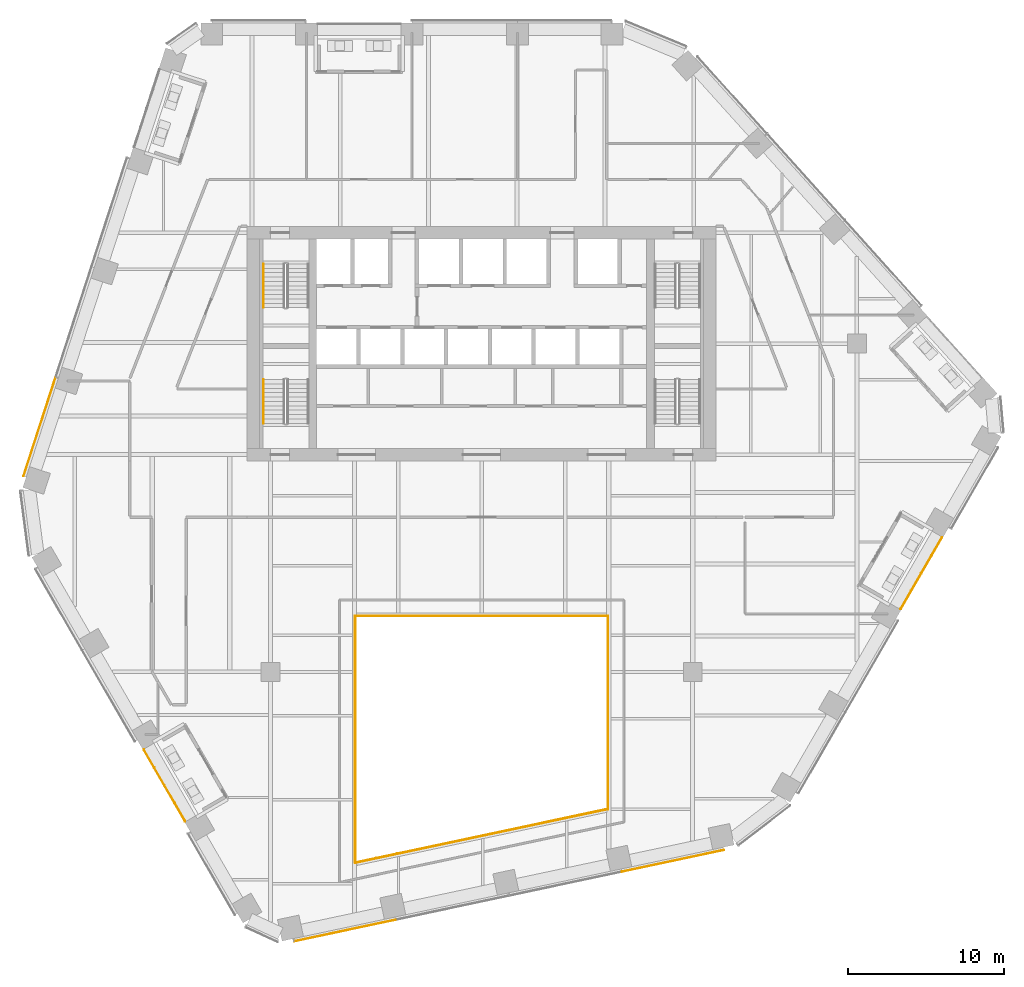
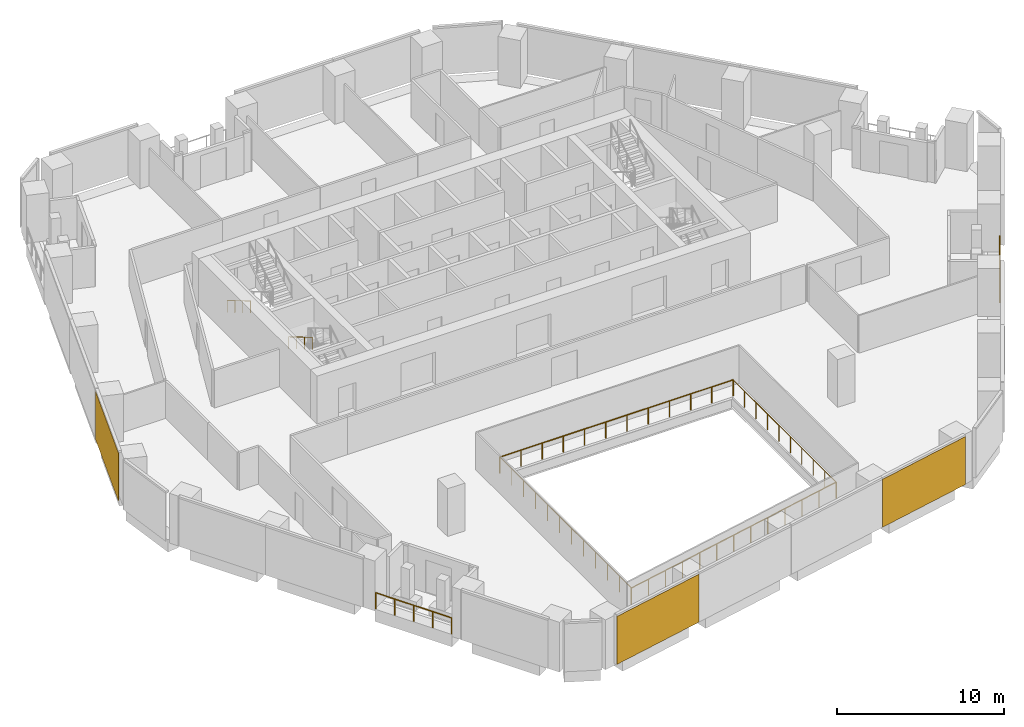
# One storey, part 23 of 26: 8 railings, 3 coverings, 2 elements without a shape of their own.
"""IFC4 building model written with IfcOpenShell, lengths in metres."""

from ifc_helpers import new_model, si_unit, direction, frame, origin, origin_2d, place, context, subcontext, project, spatial, rectangle, circle, extrude, material, layer, layer_set, type_object, element, aggregate, save


model = new_model("IFC4")

# Units and contexts
model_context = context("Model", 3, precision=1e-05, world=origin(), true_north=direction((0.0, 1.0)))
body_context = subcontext(model_context, "Body", "Model", "MODEL_VIEW")
ifc_project = project(units=[si_unit("LENGTHUNIT", "METRE"), si_unit("AREAUNIT", "SQUARE_METRE"), si_unit("VOLUMEUNIT", "CUBIC_METRE"), si_unit("PLANEANGLEUNIT", "RADIAN"), si_unit("MASSUNIT", "GRAM", prefix="KILO")], contexts=[model_context])

# Site, building, storey
site_placement = place(None, origin())
site = spatial("IfcSite", under=ifc_project, at=site_placement, CompositionType="ELEMENT")
building_placement = place(site_placement, origin())
building = spatial("IfcBuilding", under=site, at=building_placement, Name="Isthmus Gate Tower", CompositionType="ELEMENT")
storey_placement = place(building_placement, frame((0.0, 0.0, 129.800048828125)))
storey = spatial("IfcBuildingStorey", under=building, at=storey_placement, Name="L31", CompositionType="ELEMENT", Elevation=129.800048828125)

# Railings
ifc_material_1 = material(Name="Laminated toughened glass balustrade with steel rail", Category="steel")
railing_type_1 = type_object("IfcRailingType", Name="ATRIUM GUARD GLASS BALUSTRADE 1200", PredefinedType="GUARDRAIL", material=ifc_material_1)
railing_1_placement = place(storey_placement, frame((-8.080078125, -25.7099609375, 0.0)))
element("IfcRailing", 1, at=railing_1_placement, inside=storey, type_object=railing_type_1, Name="L31 atrium guard", PredefinedType="GUARDRAIL", context=body_context, shape_type="SweptSolid", body=[
    extrude(circle(Radius=0.02490234375, at=origin_2d()), frame((0.0, 0.0, 1.1748046875), z_axis=(0.0, 1.0, 0.0), x_axis=(-1.0, 0.0, 0.0)), (0.0, 0.0, 1.0), 15.7900390625),
    extrude(circle(Radius=0.02490234375, at=origin_2d()), origin(), (0.0, 0.0, 1.0), 1.14990234375),
    extrude(circle(Radius=0.02490234375, at=origin_2d()), frame((0.0, 1.435546875, 0.0)), (0.0, 0.0, 1.0), 1.14990234375),
    extrude(circle(Radius=0.02490234375, at=origin_2d()), frame((0.0, 2.870849609375, 0.0)), (0.0, 0.0, 1.0), 1.14990234375),
    extrude(circle(Radius=0.02490234375, at=origin_2d()), frame((0.0, 4.306396484375, 0.0)), (0.0, 0.0, 1.0), 1.14990234375),
    extrude(circle(Radius=0.02490234375, at=origin_2d()), frame((0.0, 5.741943359375, 0.0)), (0.0, 0.0, 1.0), 1.14990234375),
    extrude(circle(Radius=0.02490234375, at=origin_2d()), frame((0.0, 7.17724609375, 0.0)), (0.0, 0.0, 1.0), 1.14990234375),
    extrude(circle(Radius=0.02490234375, at=origin_2d()), frame((0.0, 8.61279296875, 0.0)), (0.0, 0.0, 1.0), 1.14990234375),
    extrude(circle(Radius=0.02490234375, at=origin_2d()), frame((0.0, 10.048095703125, 0.0)), (0.0, 0.0, 1.0), 1.14990234375),
    extrude(circle(Radius=0.02490234375, at=origin_2d()), frame((0.0, 11.483642578125, 0.0)), (0.0, 0.0, 1.0), 1.14990234375),
    extrude(circle(Radius=0.02490234375, at=origin_2d()), frame((0.0, 12.919189453125, 0.0)), (0.0, 0.0, 1.0), 1.14990234375),
    extrude(circle(Radius=0.02490234375, at=origin_2d()), frame((0.0, 14.3544921875, 0.0)), (0.0, 0.0, 1.0), 1.14990234375),
    extrude(circle(Radius=0.02490234375, at=origin_2d()), frame((0.0, 15.7900390625, 0.0)), (0.0, 0.0, 1.0), 1.14990234375),
])
railing_2_placement = place(storey_placement, frame((-8.080078125, -9.919921875, 0.0)))
element("IfcRailing", 2, at=railing_2_placement, inside=storey, type_object=railing_type_1, Name="L31 atrium guard", PredefinedType="GUARDRAIL", context=body_context, shape_type="SweptSolid", body=[
    extrude(circle(Radius=0.02490234375, at=origin_2d()), frame((0.0, 0.0, 1.1748046875), z_axis=(1.0, 0.0, 0.0), x_axis=(0.0, 1.0, 0.0)), (0.0, 0.0, 1.0), 16.16015625),
    extrude(circle(Radius=0.02490234375, at=origin_2d()), origin(), (0.0, 0.0, 1.0), 1.14990234375),
    extrude(circle(Radius=0.02490234375, at=origin_2d()), frame((1.468994140625, 0.0, 0.0)), (0.0, 0.0, 1.0), 1.14990234375),
    extrude(circle(Radius=0.02490234375, at=origin_2d()), frame((2.938232421875, 0.0, 0.0)), (0.0, 0.0, 1.0), 1.14990234375),
    extrude(circle(Radius=0.02490234375, at=origin_2d()), frame((4.4072265625, 0.0, 0.0)), (0.0, 0.0, 1.0), 1.14990234375),
    extrude(circle(Radius=0.02490234375, at=origin_2d()), frame((5.87646484375, 0.0, 0.0)), (0.0, 0.0, 1.0), 1.14990234375),
    extrude(circle(Radius=0.02490234375, at=origin_2d()), frame((7.345458984375, 0.0, 0.0)), (0.0, 0.0, 1.0), 1.14990234375),
    extrude(circle(Radius=0.02490234375, at=origin_2d()), frame((8.814697265625, 0.0, 0.0)), (0.0, 0.0, 1.0), 1.14990234375),
    extrude(circle(Radius=0.02490234375, at=origin_2d()), frame((10.28369140625, 0.0, 0.0)), (0.0, 0.0, 1.0), 1.14990234375),
    extrude(circle(Radius=0.02490234375, at=origin_2d()), frame((11.7529296875, 0.0, 0.0)), (0.0, 0.0, 1.0), 1.14990234375),
    extrude(circle(Radius=0.02490234375, at=origin_2d()), frame((13.221923828125, 0.0, 0.0)), (0.0, 0.0, 1.0), 1.14990234375),
    extrude(circle(Radius=0.02490234375, at=origin_2d()), frame((14.691162109375, 0.0, 0.0)), (0.0, 0.0, 1.0), 1.14990234375),
    extrude(circle(Radius=0.02490234375, at=origin_2d()), frame((16.16015625, 0.0, 0.0)), (0.0, 0.0, 1.0), 1.14990234375),
])
railing_3_placement = place(storey_placement, frame((8.080078125, -9.919921875, 0.0)))
element("IfcRailing", 3, at=railing_3_placement, inside=storey, type_object=railing_type_1, Name="L31 atrium guard", PredefinedType="GUARDRAIL", context=body_context, shape_type="SweptSolid", body=[
    extrude(circle(Radius=0.02490234375, at=origin_2d()), frame((0.0, 0.0, 1.1748046875), z_axis=(0.0, -1.0, 0.0), x_axis=(1.0, 0.0, 0.0)), (0.0, 0.0, 1.0), 12.35498046875),
    extrude(circle(Radius=0.02490234375, at=origin_2d()), origin(), (0.0, 0.0, 1.0), 1.14990234375),
    extrude(circle(Radius=0.02490234375, at=origin_2d()), frame((0.0, -1.372802734375, 0.0)), (0.0, 0.0, 1.0), 1.14990234375),
    extrude(circle(Radius=0.02490234375, at=origin_2d()), frame((0.0, -2.74560546875, 0.0)), (0.0, 0.0, 1.0), 1.14990234375),
    extrude(circle(Radius=0.02490234375, at=origin_2d()), frame((0.0, -4.118408203125, 0.0)), (0.0, 0.0, 1.0), 1.14990234375),
    extrude(circle(Radius=0.02490234375, at=origin_2d()), frame((0.0, -5.4912109375, 0.0)), (0.0, 0.0, 1.0), 1.14990234375),
    extrude(circle(Radius=0.02490234375, at=origin_2d()), frame((0.0, -6.86376953125, 0.0)), (0.0, 0.0, 1.0), 1.14990234375),
    extrude(circle(Radius=0.02490234375, at=origin_2d()), frame((0.0, -8.236572265625, 0.0)), (0.0, 0.0, 1.0), 1.14990234375),
    extrude(circle(Radius=0.02490234375, at=origin_2d()), frame((0.0, -9.609375, 0.0)), (0.0, 0.0, 1.0), 1.14990234375),
    extrude(circle(Radius=0.02490234375, at=origin_2d()), frame((0.0, -10.982177734375, 0.0)), (0.0, 0.0, 1.0), 1.14990234375),
    extrude(circle(Radius=0.02490234375, at=origin_2d()), frame((0.0, -12.35498046875, 0.0)), (0.0, 0.0, 1.0), 1.14990234375),
])
railing_4_placement = place(storey_placement, frame((8.080078125, -22.27490234375, 0.0)))
element("IfcRailing", 4, at=railing_4_placement, inside=storey, type_object=railing_type_1, Name="L31 atrium guard", PredefinedType="GUARDRAIL", context=body_context, shape_type="SweptSolid", body=[
    extrude(circle(Radius=0.02490234375, at=origin_2d()), frame((0.0, 0.0, 1.1748046875), z_axis=(-0.978146230105, -0.207918139013, 0.0), x_axis=(0.207918139013, -0.978146230105, 0.0)), (0.0, 0.0, 1.0), 16.521240234375),
    extrude(circle(Radius=0.02490234375, at=origin_2d()), origin(), (0.0, 0.0, 1.0), 1.14990234375),
    extrude(circle(Radius=0.02490234375, at=origin_2d()), frame((-1.3466796875, -0.2861328125, 0.0)), (0.0, 0.0, 1.0), 1.14990234375),
    extrude(circle(Radius=0.02490234375, at=origin_2d()), frame((-2.693359375, -0.572509765625, 0.0)), (0.0, 0.0, 1.0), 1.14990234375),
    extrude(circle(Radius=0.02490234375, at=origin_2d()), frame((-4.0400390625, -0.85888671875, 0.0)), (0.0, 0.0, 1.0), 1.14990234375),
    extrude(circle(Radius=0.02490234375, at=origin_2d()), frame((-5.38671875, -1.14501953125, 0.0)), (0.0, 0.0, 1.0), 1.14990234375),
    extrude(circle(Radius=0.02490234375, at=origin_2d()), frame((-6.7333984375, -1.43115234375, 0.0)), (0.0, 0.0, 1.0), 1.14990234375),
    extrude(circle(Radius=0.02490234375, at=origin_2d()), frame((-8.080078125, -1.717529296875, 0.0)), (0.0, 0.0, 1.0), 1.14990234375),
    extrude(circle(Radius=0.02490234375, at=origin_2d()), frame((-9.4267578125, -2.00390625, 0.0)), (0.0, 0.0, 1.0), 1.14990234375),
    extrude(circle(Radius=0.02490234375, at=origin_2d()), frame((-10.7734375, -2.2900390625, 0.0)), (0.0, 0.0, 1.0), 1.14990234375),
    extrude(circle(Radius=0.02490234375, at=origin_2d()), frame((-12.1201171875, -2.576171875, 0.0)), (0.0, 0.0, 1.0), 1.14990234375),
    extrude(circle(Radius=0.02490234375, at=origin_2d()), frame((-13.466796875, -2.862548828125, 0.0)), (0.0, 0.0, 1.0), 1.14990234375),
    extrude(circle(Radius=0.02490234375, at=origin_2d()), frame((-14.8134765625, -3.14892578125, 0.0)), (0.0, 0.0, 1.0), 1.14990234375),
    extrude(circle(Radius=0.02490234375, at=origin_2d()), frame((-16.16015625, -3.43505859375, 0.0)), (0.0, 0.0, 1.0), 1.14990234375),
])

# Curtain wall, covering
ifc_material_2 = material(Name="Aluminium, pale champagne anodised", Category="aluminium")
ifc_layer_1 = layer(ifc_material_2, 0.199951171875)
ifc_layer_set_1 = layer_set([ifc_layer_1], Name="CW-1 UNITISED CURTAIN WALL 200 DEEP")
curtain_wall_type = type_object("IfcCurtainWallType", Name="CW-1 UNITISED CURTAIN WALL 200 DEEP", PredefinedType="NOTDEFINED", material=ifc_layer_set_1)
curtain_wall_1_placement = place(storey_placement, origin())
curtain_wall_1 = element("IfcCurtainWall", 5, at=curtain_wall_1_placement, inside=storey, type_object=curtain_wall_type, Name="CW-1 NW L31", PredefinedType="NOTDEFINED")
ifc_material_3 = material(Name="Aluminium composite panel, pale champagne anodised", Category="aluminium")
ifc_layer_2 = layer(ifc_material_3, 0.035888671875)
ifc_layer_set_2 = layer_set([ifc_layer_2], Name="CW-1 PALE METAL PANEL 36")
covering_type = type_object("IfcCoveringType", Name="CW-1 PALE METAL PANEL 36", PredefinedType="CLADDING", material=ifc_layer_set_2)
covering_1_placement = place(storey_placement, frame((-28.28271484375, 2.173828125, 0.0), z_axis=(0.0, 0.0, 1.0), x_axis=(-0.309016994375, -0.951056516295, 0.0)))
covering_1 = element("IfcCovering", 6, at=covering_1_placement, type_object=covering_type, Name="CW-1 pale metal panel", PredefinedType="CLADDING", context=body_context, shape_type="SweptSolid", body=[
    extrude(rectangle(XDim=6.630859375, YDim=0.035888671875, at=origin_2d()), origin(), (0.0, 0.0, 1.0), 3.510009765625),
])
aggregate(curtain_wall_1, [covering_1])

# Curtain wall, coverings
curtain_wall_2_placement = place(storey_placement, origin())
curtain_wall_2 = element("IfcCurtainWall", 7, at=curtain_wall_2_placement, inside=storey, type_object=curtain_wall_type, Name="CW-1 S L31", PredefinedType="NOTDEFINED")
covering_2_placement = place(storey_placement, frame((-8.744384765625, -30.044677734375, 0.0), z_axis=(0.0, 0.0, 1.0), x_axis=(0.978147600734, 0.207911690818, 0.0)))
covering_2 = element("IfcCovering", 8, at=covering_2_placement, type_object=covering_type, Name="CW-1 pale metal panel", PredefinedType="CLADDING", context=body_context, shape_type="SweptSolid", body=[
    extrude(rectangle(XDim=6.630859375, YDim=0.035888671875, at=origin_2d()), origin(), (0.0, 0.0, 1.0), 3.510009765625),
])
covering_3_placement = place(storey_placement, frame((12.2294921875, -25.586669921875, 0.0), z_axis=(0.0, 0.0, 1.0), x_axis=(0.978147600734, 0.207911690818, 0.0)))
covering_3 = element("IfcCovering", 9, at=covering_3_placement, type_object=covering_type, Name="CW-1 pale metal panel", PredefinedType="CLADDING", context=body_context, shape_type="SweptSolid", body=[
    extrude(rectangle(XDim=6.690673828125, YDim=0.035888671875, at=origin_2d()), origin(), (0.0, 0.0, 1.0), 3.510009765625),
])
aggregate(curtain_wall_2, [covering_2, covering_3])

# Railings
ifc_material_4 = material(Name="Toughened laminated glass with stainless steel posts", Category="steel")
railing_type_2 = type_object("IfcRailingType", Name="GUARD 1200 FRAMELESS GLASS", PredefinedType="GUARDRAIL", material=ifc_material_4)
railing_5_placement = place(storey_placement, frame((-21.6044921875, -18.479736328125, 0.0)))
element("IfcRailing", 10, at=railing_5_placement, inside=storey, type_object=railing_type_2, Name="LOGGIA GUARD", PredefinedType="GUARDRAIL", context=body_context, shape_type="SweptSolid", body=[
    extrude(circle(Radius=0.02490234375, at=origin_2d()), frame((0.0, 0.0, 1.1748046875), z_axis=(0.499980429533, -0.866036702504, 0.0), x_axis=(0.866036702504, 0.499980429533, 0.0)), (0.0, 0.0, 1.0), 5.270263671875),
    extrude(circle(Radius=0.02490234375, at=origin_2d()), origin(), (0.0, 0.0, 1.0), 1.14990234375),
    extrude(circle(Radius=0.02490234375, at=origin_2d()), frame((0.65869140625, -1.14111328125, 0.0)), (0.0, 0.0, 1.0), 1.14990234375),
    extrude(circle(Radius=0.02490234375, at=origin_2d()), frame((1.3173828125, -2.2822265625, 0.0)), (0.0, 0.0, 1.0), 1.14990234375),
    extrude(circle(Radius=0.02490234375, at=origin_2d()), frame((1.976318359375, -3.423095703125, 0.0)), (0.0, 0.0, 1.0), 1.14990234375),
    extrude(circle(Radius=0.02490234375, at=origin_2d()), frame((2.635009765625, -4.564208984375, 0.0)), (0.0, 0.0, 1.0), 1.14990234375),
])
railing_6_placement = place(storey_placement, frame((26.80615234375, -9.47021484375, 0.0)))
element("IfcRailing", 11, at=railing_6_placement, inside=storey, type_object=railing_type_2, Name="LOGGIA GUARD", PredefinedType="GUARDRAIL", context=body_context, shape_type="SweptSolid", body=[
    extrude(circle(Radius=0.02490234375, at=origin_2d()), frame((0.0, 0.0, 1.1748046875), z_axis=(0.500015172615, 0.866016643694, 0.0), x_axis=(-0.866016643694, 0.500015172615, 0.0)), (0.0, 0.0, 1.0), 5.270263671875),
    extrude(circle(Radius=0.02490234375, at=origin_2d()), origin(), (0.0, 0.0, 1.0), 1.14990234375),
    extrude(circle(Radius=0.02490234375, at=origin_2d()), frame((0.65869140625, 1.14111328125, 0.0)), (0.0, 0.0, 1.0), 1.14990234375),
    extrude(circle(Radius=0.02490234375, at=origin_2d()), frame((1.317626953125, 2.2822265625, 0.0)), (0.0, 0.0, 1.0), 1.14990234375),
    extrude(circle(Radius=0.02490234375, at=origin_2d()), frame((1.9765625, 3.423095703125, 0.0)), (0.0, 0.0, 1.0), 1.14990234375),
    extrude(circle(Radius=0.02490234375, at=origin_2d()), frame((2.63525390625, 4.564208984375, 0.0)), (0.0, 0.0, 1.0), 1.14990234375),
])
ifc_material_5 = material(Name="Stainless steel handrail", Category="steel")
railing_type_3 = type_object("IfcRailingType", Name="STAIR HANDRAIL 900", PredefinedType="HANDRAIL", material=ifc_material_5)
railing_7_placement = place(storey_placement, frame((-13.949951171875, 12.60009765625, 0.165771484375)))
element("IfcRailing", 12, at=railing_7_placement, inside=storey, type_object=railing_type_3, Name="L31 ST1 stair handrail 1", PredefinedType="HANDRAIL", context=body_context, shape_type="SweptSolid", body=[
    extrude(circle(Radius=0.02392578125, at=origin_2d()), frame((0.0, 0.0, 0.8759765625), z_axis=(0.0, -0.860306154799, 0.50977771628), x_axis=(1.0, 0.0, 0.0)), (0.0, 0.0, 1.0), 3.254638671875),
    extrude(circle(Radius=0.02099609375, at=origin_2d()), origin(), (0.0, 0.0, 1.0), 0.851806640625),
    extrude(circle(Radius=0.02099609375, at=origin_2d()), frame((0.0, -0.933349609375, 0.552978515625)), (0.0, 0.0, 1.0), 0.851806640625),
    extrude(circle(Radius=0.02099609375, at=origin_2d()), frame((0.0, -1.86669921875, 1.106201171875)), (0.0, 0.0, 1.0), 0.851806640625),
    extrude(circle(Radius=0.02099609375, at=origin_2d()), frame((0.0, -2.800048828125, 1.6591796875)), (0.0, 0.0, 1.0), 0.851806640625),
])
railing_8_placement = place(storey_placement, frame((-13.949951171875, 5.199951171875, 1.990966796875)))
element("IfcRailing", 13, at=railing_8_placement, inside=storey, type_object=railing_type_3, Name="L31 ST7 stair handrail 2", PredefinedType="HANDRAIL", context=body_context, shape_type="SweptSolid", body=[
    extrude(circle(Radius=0.02392578125, at=origin_2d()), frame((0.0, 0.0, 0.8759765625), z_axis=(0.0, -0.860339051648, 0.50972219513), x_axis=(1.0, 0.0, 0.0)), (0.0, 0.0, 1.0), 3.254638671875),
    extrude(circle(Radius=0.02099609375, at=origin_2d()), origin(), (0.0, 0.0, 1.0), 0.851806640625),
    extrude(circle(Radius=0.02099609375, at=origin_2d()), frame((0.0, -0.933349609375, 0.552978515625)), (0.0, 0.0, 1.0), 0.851806640625),
    extrude(circle(Radius=0.02099609375, at=origin_2d()), frame((0.0, -1.86669921875, 1.10595703125)), (0.0, 0.0, 1.0), 0.851806640625),
    extrude(circle(Radius=0.02099609375, at=origin_2d()), frame((0.0, -2.800048828125, 1.658935546875)), (0.0, 0.0, 1.0), 0.851806640625),
])

save(model, "model.ifc")
